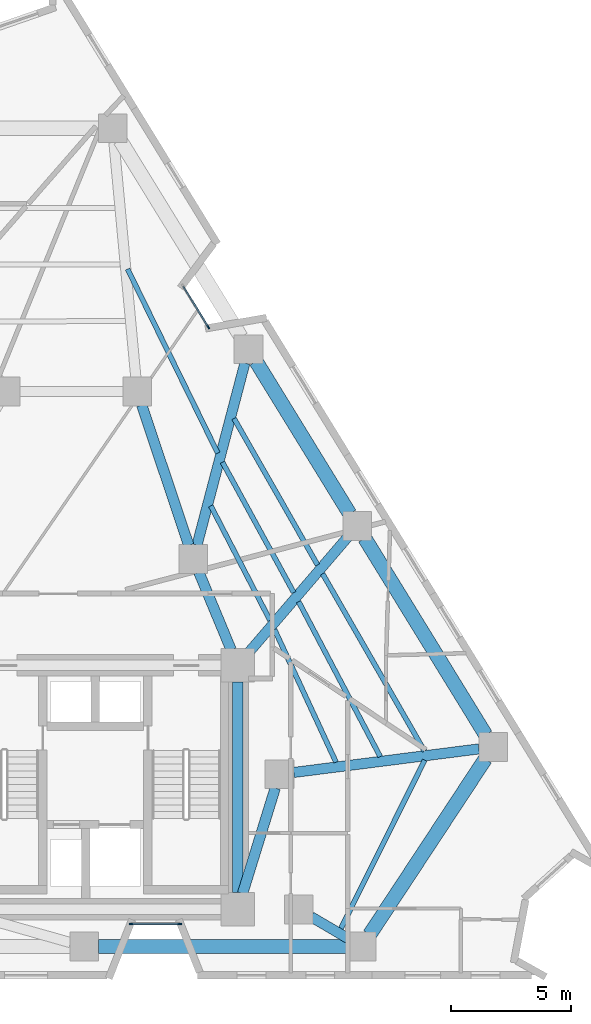
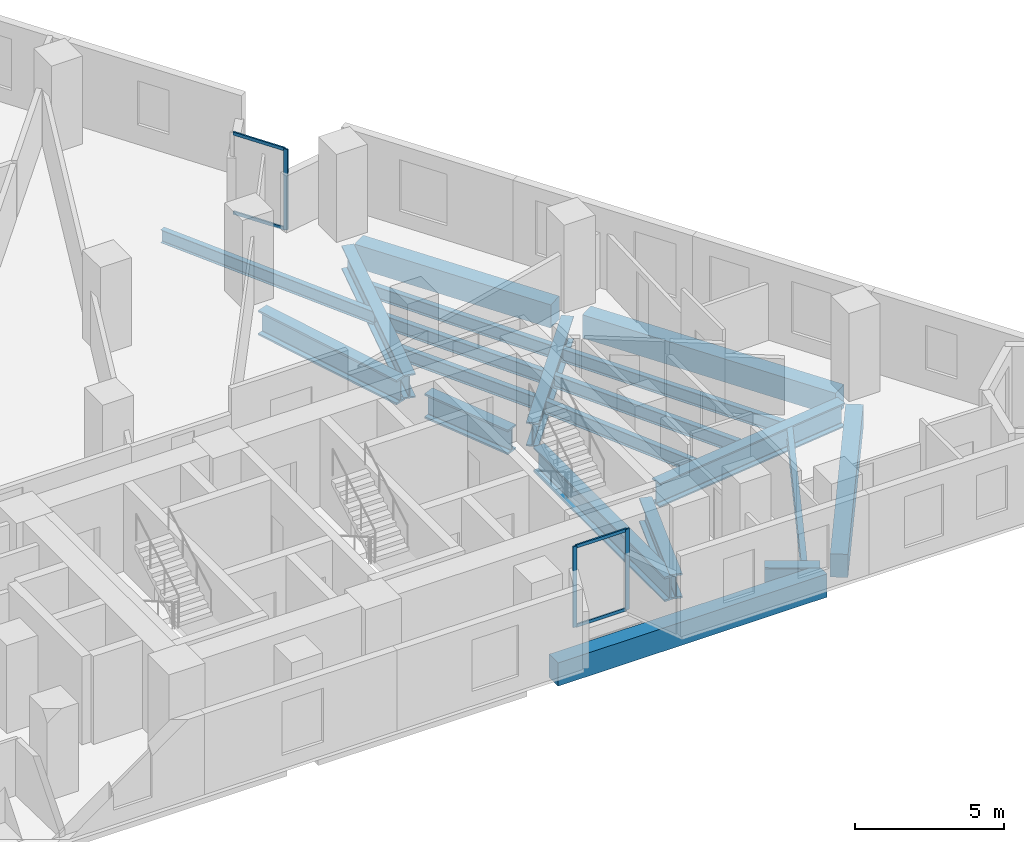
# One storey, part 4 of 13: 20 beams, 7 members, 2 elements without a shape of their own.
"""IFC4 building model written with IfcOpenShell, lengths in metres."""

from ifc_helpers import new_model, si_unit, direction, frame, origin, origin_2d, place, context, subcontext, project, spatial, rectangle, i_section, extrude, material, layer, layer_set, material_profile, profile_set, type_object, element, aggregate, save


model = new_model("IFC4")

# Units and contexts
model_context = context("Model", 3, precision=1e-05, world=origin(), true_north=direction((0.0, 1.0)))
body_context = subcontext(model_context, "Body", "Model", "MODEL_VIEW")
ifc_project = project(units=[si_unit("LENGTHUNIT", "METRE"), si_unit("AREAUNIT", "SQUARE_METRE"), si_unit("VOLUMEUNIT", "CUBIC_METRE"), si_unit("PLANEANGLEUNIT", "RADIAN"), si_unit("MASSUNIT", "GRAM", prefix="KILO")], contexts=[model_context])

# Site, building, storey
site_placement = place(None, origin())
site = spatial("IfcSite", under=ifc_project, at=site_placement, CompositionType="ELEMENT")
building_placement = place(site_placement, origin())
building = spatial("IfcBuilding", under=site, at=building_placement, Name="Almagre Mirador Tower", CompositionType="ELEMENT")
storey_placement = place(building_placement, frame((0.0, 0.0, 96.60009765625)))
storey = spatial("IfcBuildingStorey", under=building, at=storey_placement, Name="L24", CompositionType="ELEMENT", Elevation=96.60009765625)

# Beams
ifc_material_1 = material(Name="Steel ASTM A992 Grade 50", Category="steel")
ifc_material_profile_1 = material_profile(ifc_material_1, i_section(OverallWidth=0.208984375, OverallDepth=0.532958984375, WebThickness=0.01025390625, FlangeThickness=0.015625, FilletRadius=0.01806640625, at=origin_2d()), Name="W21X62")
ifc_profile_set_1 = profile_set([ifc_material_profile_1], Name="Steel ASTM A992 Grade 50")
beam_type_1 = type_object("IfcBeamType", Name="BM-JST-W21X62", PredefinedType="JOIST", material=ifc_profile_set_1)
beam_1_placement = place(storey_placement, frame((51.36865234375, 3.75927734375, -0.5166015625), z_axis=(0.445858512844, 0.89510345018, 0.0), x_axis=(-0.89510345018, 0.445858512844, 0.0)))
element("IfcBeam", 1, at=beam_1_placement, inside=storey, type_object=beam_type_1, Name="L24 secondary floor joist PC04-PC05.1", PredefinedType="JOIST", context=body_context, shape_type="SweptSolid", body=[
    extrude(i_section(OverallWidth=0.208984375, OverallDepth=0.532958984375, WebThickness=0.01025390625, FlangeThickness=0.015625, FilletRadius=0.01806640625, at=origin_2d()), origin(), (0.0, 0.0, 1.0), 7.858154296875),
])
beam_2_placement = place(storey_placement, frame((54.861083984375, 11.170166015625, -0.5166015625), z_axis=(-0.498260180267, 0.867027561707, 0.0), x_axis=(-0.867027561707, -0.498260180267, 0.0)))
element("IfcBeam", 2, at=beam_2_placement, inside=storey, type_object=beam_type_1, Name="L24 secondary floor joist PC05-PC06.1", PredefinedType="JOIST", context=body_context, shape_type="SweptSolid", body=[
    extrude(i_section(OverallWidth=0.208984375, OverallDepth=0.532958984375, WebThickness=0.01025390625, FlangeThickness=0.015625, FilletRadius=0.01806640625, at=origin_2d()), origin(), (0.0, 0.0, 1.0), 8.54638671875),
])
beam_3_placement = place(storey_placement, frame((53.010498046875, 10.937744140625, -0.5166015625), z_axis=(-0.466003449067, 0.884782903009, 0.0), x_axis=(-0.884782903009, -0.466003449067, 0.0)))
element("IfcBeam", 3, at=beam_3_placement, inside=storey, type_object=beam_type_1, Name="L24 secondary floor joist PC05-PC06.2", PredefinedType="JOIST", context=body_context, shape_type="SweptSolid", body=[
    extrude(i_section(OverallWidth=0.208984375, OverallDepth=0.532958984375, WebThickness=0.01025390625, FlangeThickness=0.015625, FilletRadius=0.01806640625, at=origin_2d()), origin(), (0.0, 0.0, 1.0), 7.320556640625),
])
beam_4_placement = place(storey_placement, frame((51.16259765625, 10.7060546875, -0.5166015625), z_axis=(-0.420643946583, 0.90722580993, 0.0), x_axis=(-0.90722580993, -0.420643946583, 0.0)))
element("IfcBeam", 4, at=beam_4_placement, inside=storey, type_object=beam_type_1, Name="L24 secondary floor joist PC05-PC06.3", PredefinedType="JOIST", context=body_context, shape_type="SweptSolid", body=[
    extrude(i_section(OverallWidth=0.208984375, OverallDepth=0.532958984375, WebThickness=0.01025390625, FlangeThickness=0.015625, FilletRadius=0.01806640625, at=origin_2d()), origin(), (0.0, 0.0, 1.0), 6.109375),
])
beam_5_placement = place(storey_placement, frame((50.39013671875, 18.951416015625, -0.5166015625), z_axis=(-0.495455919477, 0.868633082409, 0.0), x_axis=(-0.868633082409, -0.495455919477, 0.0)))
element("IfcBeam", 5, at=beam_5_placement, inside=storey, type_object=beam_type_1, Name="L24 secondary floor joist PC06-PC07.1", PredefinedType="JOIST", context=body_context, shape_type="SweptSolid", body=[
    extrude(i_section(OverallWidth=0.208984375, OverallDepth=0.532958984375, WebThickness=0.01025390625, FlangeThickness=0.015625, FilletRadius=0.01806640625, at=origin_2d()), origin(), (0.0, 0.0, 1.0), 7.0458984375),
])
beam_6_placement = place(storey_placement, frame((49.396728515625, 17.7919921875, -0.5166015625), z_axis=(-0.479727277222, 0.877417653965, 0.0), x_axis=(-0.877417653965, -0.479727277222, 0.0)))
element("IfcBeam", 6, at=beam_6_placement, inside=storey, type_object=beam_type_1, Name="L24 secondary floor joist PC06-PC07.2", PredefinedType="JOIST", context=body_context, shape_type="SweptSolid", body=[
    extrude(i_section(OverallWidth=0.208984375, OverallDepth=0.532958984375, WebThickness=0.01025390625, FlangeThickness=0.015625, FilletRadius=0.01806640625, at=origin_2d()), origin(), (0.0, 0.0, 1.0), 6.2138671875),
])
beam_7_placement = place(storey_placement, frame((48.404296875, 16.6328125, -0.5166015625), z_axis=(-0.459287235834, 0.888287810904, 0.0), x_axis=(-0.888287810904, -0.459287235834, 0.0)))
element("IfcBeam", 7, at=beam_7_placement, inside=storey, type_object=beam_type_1, Name="L24 secondary floor joist PC06-PC07.3", PredefinedType="JOIST", context=body_context, shape_type="SweptSolid", body=[
    extrude(i_section(OverallWidth=0.208984375, OverallDepth=0.532958984375, WebThickness=0.01025390625, FlangeThickness=0.015625, FilletRadius=0.01806640625, at=origin_2d()), origin(), (0.0, 0.0, 1.0), 5.384765625),
])
beam_8_placement = place(storey_placement, frame((46.21875, 23.6240234375, -0.5166015625), z_axis=(-0.439958933101, 0.898017893577, 0.0), x_axis=(-0.898017893577, -0.439958933101, 0.0)))
element("IfcBeam", 8, at=beam_8_placement, inside=storey, type_object=beam_type_1, Name="L24 secondary floor joist PC07-PC08.2", PredefinedType="JOIST", context=body_context, shape_type="SweptSolid", body=[
    extrude(i_section(OverallWidth=0.208984375, OverallDepth=0.532958984375, WebThickness=0.01025390625, FlangeThickness=0.015625, FilletRadius=0.01806640625, at=origin_2d()), origin(), (0.0, 0.0, 1.0), 8.565185546875),
])
ifc_material_2 = material(Name="Precast concrete C50/60", Category="concrete")
ifc_material_profile_2 = material_profile(ifc_material_2, rectangle(XDim=0.60009765625, YDim=0.949951171875, at=origin_2d()), Name="RC600X950")
ifc_profile_set_2 = profile_set([ifc_material_profile_2], Name="Precast concrete C50/60")
beam_type_2 = type_object("IfcBeamType", Name="BM-SPN-RC600X950", PredefinedType="SPANDREL", material=ifc_profile_set_2)
beam_9_placement = place(storey_placement, frame((41.239990234375, 3.0, -0.72509765625), z_axis=(1.0, 0.0, 0.0), x_axis=(0.0, 1.0, 0.0)))
element("IfcBeam", 9, at=beam_9_placement, inside=storey, type_object=beam_type_2, Name="L24 perimeter spandrel beam PC03-PC04", PredefinedType="SPANDREL", context=body_context, shape_type="SweptSolid", body=[
    extrude(rectangle(XDim=0.60009765625, YDim=0.949951171875, at=origin_2d()), origin(), (0.0, 0.0, 1.0), 10.39990234375),
])
beam_10_placement = place(storey_placement, frame((52.570068359375, 3.501220703125, -0.72509765625), z_axis=(0.550014218611, 0.835155290545, 0.0), x_axis=(-0.835155290545, 0.550014218611, 0.0)))
element("IfcBeam", 10, at=beam_10_placement, inside=storey, type_object=beam_type_2, Name="L24 perimeter spandrel beam PC04-PC05", PredefinedType="SPANDREL", context=body_context, shape_type="SweptSolid", body=[
    extrude(rectangle(XDim=0.60009765625, YDim=0.949951171875, at=origin_2d()), origin(), (0.0, 0.0, 1.0), 8.78125),
])
beam_11_placement = place(storey_placement, frame((57.415771484375, 11.84716796875, -0.72509765625), z_axis=(-0.523677963784, 0.85191630472, 0.0), x_axis=(-0.85191630472, -0.523677963784, 0.0)))
element("IfcBeam", 11, at=beam_11_placement, inside=storey, type_object=beam_type_2, Name="L24 perimeter spandrel beam PC05-PC06", PredefinedType="SPANDREL", context=body_context, shape_type="SweptSolid", body=[
    extrude(rectangle(XDim=0.60009765625, YDim=0.949951171875, at=origin_2d()), origin(), (0.0, 0.0, 1.0), 9.646240234375),
])
beam_12_placement = place(storey_placement, frame((51.73583984375, 21.087158203125, -0.72509765625), z_axis=(-0.523685630809, 0.851911591707, 0.0), x_axis=(-0.851911591707, -0.523685630809, 0.0)))
element("IfcBeam", 12, at=beam_12_placement, inside=storey, type_object=beam_type_2, Name="L24 perimeter spandrel beam PC06-PC07", PredefinedType="SPANDREL", context=body_context, shape_type="SweptSolid", body=[
    extrude(rectangle(XDim=0.60009765625, YDim=0.949951171875, at=origin_2d()), origin(), (0.0, 0.0, 1.0), 7.476806640625),
])
ifc_material_3 = material(Name="Steel ASTM A992 Grade 50", Category="steel")
ifc_material_profile_3 = material_profile(ifc_material_3, i_section(OverallWidth=0.427978515625, OverallDepth=0.97509765625, WebThickness=0.031005859375, FlangeThickness=0.055908203125, FilletRadius=0.028076171875, at=origin_2d()), Name="W36X395")
ifc_profile_set_3 = profile_set([ifc_material_profile_3], Name="Steel ASTM A992 Grade 50")
beam_type_3 = type_object("IfcBeamType", Name="BM-STL-W36X395", PredefinedType="BEAM", material=ifc_profile_set_3)
beam_13_placement = place(storey_placement, frame((51.72265625, 3.3037109375, -0.737548828125), z_axis=(-0.862372214541, 0.50627479059, 0.0), x_axis=(-0.50627479059, -0.862372214541, 0.0)))
element("IfcBeam", 13, at=beam_13_placement, inside=storey, type_object=beam_type_3, Name="L24 radial floor girder PC04-MC2", PredefinedType="BEAM", context=body_context, shape_type="SweptSolid", body=[
    extrude(i_section(OverallWidth=0.427978515625, OverallDepth=0.97509765625, WebThickness=0.031005859375, FlangeThickness=0.055908203125, FilletRadius=0.028076171875, at=origin_2d()), origin(), (0.0, 0.0, 1.0), 1.861328125),
])
beam_14_placement = place(storey_placement, frame((57.134765625, 11.26025390625, -0.737548828125), z_axis=(-0.992004466141, -0.126202770006, 0.0), x_axis=(0.126202770006, -0.992004466141, 0.0)))
element("IfcBeam", 14, at=beam_14_placement, inside=storey, type_object=beam_type_3, Name="L24 radial floor girder PC05-MC3", PredefinedType="BEAM", context=body_context, shape_type="SweptSolid", body=[
    extrude(i_section(OverallWidth=0.427978515625, OverallDepth=0.97509765625, WebThickness=0.031005859375, FlangeThickness=0.055908203125, FilletRadius=0.028076171875, at=origin_2d()), origin(), (0.0, 0.0, 1.0), 7.802001953125),
])
beam_15_placement = place(storey_placement, frame((51.6591796875, 20.12060546875, -0.737548828125), z_axis=(-0.651270456957, -0.758845697026, 0.0), x_axis=(0.758845697026, -0.651270456957, 0.0)))
element("IfcBeam", 15, at=beam_15_placement, inside=storey, type_object=beam_type_3, Name="L24 radial floor girder PC06-CC6", PredefinedType="BEAM", context=body_context, shape_type="SweptSolid", body=[
    extrude(i_section(OverallWidth=0.427978515625, OverallDepth=0.97509765625, WebThickness=0.031005859375, FlangeThickness=0.055908203125, FilletRadius=0.028076171875, at=origin_2d()), origin(), (0.0, 0.0, 1.0), 6.377197265625),
])
beam_16_placement = place(storey_placement, frame((47.353515625, 27.3876953125, -0.737548828125), z_axis=(-0.25437719106, -0.967105084605, 0.0), x_axis=(0.967105084605, -0.25437719106, 0.0)))
element("IfcBeam", 16, at=beam_16_placement, inside=storey, type_object=beam_type_3, Name="L24 radial floor girder PC07-MC5", PredefinedType="BEAM", context=body_context, shape_type="SweptSolid", body=[
    extrude(i_section(OverallWidth=0.427978515625, OverallDepth=0.97509765625, WebThickness=0.031005859375, FlangeThickness=0.055908203125, FilletRadius=0.028076171875, at=origin_2d()), origin(), (0.0, 0.0, 1.0), 7.8662109375),
])
ifc_material_4 = material(Name="Steel ASTM A992 Grade 50", Category="steel")
ifc_material_profile_4 = material_profile(ifc_material_4, i_section(OverallWidth=0.43701171875, OverallDepth=1.010986328125, WebThickness=0.041015625, FlangeThickness=0.073974609375, FilletRadius=0.028076171875, at=origin_2d()), Name="W36X529")
ifc_profile_set_4 = profile_set([ifc_material_profile_4], Name="Steel ASTM A992 Grade 50")
beam_type_4 = type_object("IfcBeamType", Name="BM-STL-W36X529", PredefinedType="BEAM", material=ifc_profile_set_4)
beam_17_placement = place(storey_placement, frame((47.050048828125, 5.25, -0.755615234375), z_axis=(0.0, 1.0, 0.0), x_axis=(-1.0, 0.0, 0.0)))
element("IfcBeam", 17, at=beam_17_placement, inside=storey, type_object=beam_type_4, Name="L24 core tie girder CC3-CC6", PredefinedType="BEAM", context=body_context, shape_type="SweptSolid", body=[
    extrude(i_section(OverallWidth=0.43701171875, OverallDepth=1.010986328125, WebThickness=0.041015625, FlangeThickness=0.073974609375, FilletRadius=0.028076171875, at=origin_2d()), origin(), (0.0, 0.0, 1.0), 8.800048828125),
])
beam_18_placement = place(storey_placement, frame((48.62255859375, 9.626953125, -0.755615234375), z_axis=(-0.295888328273, -0.955222538046, 0.0), x_axis=(0.955222538046, -0.295888328273, 0.0)))
element("IfcBeam", 18, at=beam_18_placement, inside=storey, type_object=beam_type_4, Name="L24 core tie girder MC3-CC3", PredefinedType="BEAM", context=body_context, shape_type="SweptSolid", body=[
    extrude(i_section(OverallWidth=0.43701171875, OverallDepth=1.010986328125, WebThickness=0.041015625, FlangeThickness=0.073974609375, FilletRadius=0.028076171875, at=origin_2d()), origin(), (0.0, 0.0, 1.0), 4.61474609375),
])
beam_19_placement = place(storey_placement, frame((45.430419921875, 18.64599609375, -0.755615234375), z_axis=(0.383856635851, -0.923392702545, 0.0), x_axis=(0.923392702545, 0.383856635851, 0.0)))
element("IfcBeam", 19, at=beam_19_placement, inside=storey, type_object=beam_type_4, Name="L24 core tie girder MC5-CC6", PredefinedType="BEAM", context=body_context, shape_type="SweptSolid", body=[
    extrude(i_section(OverallWidth=0.43701171875, OverallDepth=1.010986328125, WebThickness=0.041015625, FlangeThickness=0.073974609375, FilletRadius=0.028076171875, at=origin_2d()), origin(), (0.0, 0.0, 1.0), 3.51904296875),
])
beam_20_placement = place(storey_placement, frame((43.041015625, 25.631103515625, -0.755615234375), z_axis=(0.318252395552, -0.948006019351, 0.0), x_axis=(0.948006019351, 0.318252395552, 0.0)))
element("IfcBeam", 20, at=beam_20_placement, inside=storey, type_object=beam_type_4, Name="L24 core tie girder MC6-MC5", PredefinedType="BEAM", context=body_context, shape_type="SweptSolid", body=[
    extrude(i_section(OverallWidth=0.43701171875, OverallDepth=1.010986328125, WebThickness=0.041015625, FlangeThickness=0.073974609375, FilletRadius=0.028076171875, at=origin_2d()), origin(), (0.0, 0.0, 1.0), 6.183837890625),
])

# Curtain wall, member
ifc_material_5 = material(Name="Black anodized aluminium", Category="aluminium")
ifc_layer = layer(ifc_material_5, 0.169921875)
ifc_layer_set = layer_set([ifc_layer], Name="Black anodized aluminium")
curtain_wall_type = type_object("IfcCurtainWallType", Name="CW-CRS-SYS", PredefinedType="NOTDEFINED", material=ifc_layer_set)
curtain_wall_1_placement = place(storey_placement, origin())
curtain_wall_1 = element("IfcCurtainWall", 21, at=curtain_wall_1_placement, inside=storey, type_object=curtain_wall_type, Name="L24 vertical crease curtain wall 03", PredefinedType="NOTDEFINED")
ifc_material_6 = material(Name="Black anodized aluminium", Category="aluminium")
ifc_material_profile_5 = material_profile(ifc_material_6, rectangle(XDim=0.06005859375, YDim=0.14990234375, at=origin_2d()), Name="CWM60X150")
ifc_profile_set_5 = profile_set([ifc_material_profile_5], Name="Black anodized aluminium")
member_type_1 = type_object("IfcMemberType", Name="MBR-CWM60X150", PredefinedType="MULLION", material=ifc_profile_set_5)
member_1_placement = place(storey_placement, frame((45.827392578125, 28.883544921875, 0.0), z_axis=(0.0, 0.0, 1.0), x_axis=(0.852085130871, 0.523403219085, 0.0)))
member_1 = element("IfcMember", 22, at=member_1_placement, type_object=member_type_1, Name="CW-4 mullion 2", PredefinedType="MULLION", context=body_context, shape_type="SweptSolid", body=[
    extrude(rectangle(XDim=0.06005859375, YDim=0.14990234375, at=origin_2d()), origin(), (0.0, 0.0, 1.0), 3.2998046875),
])

# Curtain wall, members
curtain_wall_2_placement = place(storey_placement, origin())
curtain_wall_2 = element("IfcCurtainWall", 23, at=curtain_wall_2_placement, inside=storey, type_object=curtain_wall_type, Name="L24 vertical crease curtain wall 04", PredefinedType="NOTDEFINED")
member_2_placement = place(storey_placement, frame((44.631103515625, 3.949951171875, 0.0), z_axis=(0.0, 0.0, 1.0), x_axis=(0.0, -1.0, 0.0)))
member_2 = element("IfcMember", 24, at=member_2_placement, type_object=member_type_1, Name="CW-4 mullion 1", PredefinedType="MULLION", context=body_context, shape_type="SweptSolid", body=[
    extrude(rectangle(XDim=0.06005859375, YDim=0.14990234375, at=origin_2d()), origin(), (0.0, 0.0, 1.0), 3.2998046875),
])
member_3_placement = place(storey_placement, frame((42.60107421875, 3.949951171875, 0.0), z_axis=(0.0, 0.0, 1.0), x_axis=(0.0, -1.0, 0.0)))
member_3 = element("IfcMember", 25, at=member_3_placement, type_object=member_type_1, Name="CW-4 mullion 2", PredefinedType="MULLION", context=body_context, shape_type="SweptSolid", body=[
    extrude(rectangle(XDim=0.06005859375, YDim=0.14990234375, at=origin_2d()), origin(), (0.0, 0.0, 1.0), 3.2998046875),
])

# Member
ifc_material_7 = material(Name="Black anodized aluminium", Category="aluminium")
ifc_material_profile_6 = material_profile(ifc_material_7, rectangle(XDim=0.06005859375, YDim=0.1298828125, at=origin_2d()), Name="CWT60X130")
ifc_profile_set_6 = profile_set([ifc_material_profile_6], Name="Black anodized aluminium")
member_type_2 = type_object("IfcMemberType", Name="MBR-CWT60X130", PredefinedType="USERDEFINED", material=ifc_profile_set_6)
member_4_placement = place(storey_placement, frame((44.780517578125, 30.587890625, 0.02978515625), z_axis=(0.523343553055, -0.852121778548, 0.0), x_axis=(0.852121778548, 0.523343553055, 0.0)))
member_4 = element("IfcMember", 26, at=member_4_placement, type_object=member_type_2, Name="CW-4 transom 1.1", ObjectType="TRANSOM", PredefinedType="USERDEFINED", context=body_context, shape_type="SweptSolid", body=[
    extrude(rectangle(XDim=0.06005859375, YDim=0.1298828125, at=origin_2d()), origin(), (0.0, 0.0, 1.0), 1.969970703125),
])

member_5_placement = place(storey_placement, frame((44.780517578125, 30.587890625, 3.27001953125), z_axis=(0.523343553055, -0.852121778548, 0.0), x_axis=(0.852121778548, 0.523343553055, 0.0)))
member_5 = element("IfcMember", 27, at=member_5_placement, type_object=member_type_2, Name="CW-4 transom 1.2", ObjectType="TRANSOM", PredefinedType="USERDEFINED", context=body_context, shape_type="SweptSolid", body=[
    extrude(rectangle(XDim=0.06005859375, YDim=0.1298828125, at=origin_2d()), origin(), (0.0, 0.0, 1.0), 1.969970703125),
])

aggregate(curtain_wall_1, [member_1, member_4, member_5])

member_6_placement = place(storey_placement, frame((44.60107421875, 3.949951171875, 0.02978515625), z_axis=(-1.0, 0.0, 0.0), x_axis=(0.0, -1.0, 0.0)))
member_6 = element("IfcMember", 28, at=member_6_placement, type_object=member_type_2, Name="CW-4 transom 1.1", ObjectType="TRANSOM", PredefinedType="USERDEFINED", context=body_context, shape_type="SweptSolid", body=[
    extrude(rectangle(XDim=0.06005859375, YDim=0.1298828125, at=origin_2d()), origin(), (0.0, 0.0, 1.0), 1.969970703125),
])

member_7_placement = place(storey_placement, frame((44.60107421875, 3.949951171875, 3.27001953125), z_axis=(-1.0, 0.0, 0.0), x_axis=(0.0, -1.0, 0.0)))
member_7 = element("IfcMember", 29, at=member_7_placement, type_object=member_type_2, Name="CW-4 transom 1.2", ObjectType="TRANSOM", PredefinedType="USERDEFINED", context=body_context, shape_type="SweptSolid", body=[
    extrude(rectangle(XDim=0.06005859375, YDim=0.1298828125, at=origin_2d()), origin(), (0.0, 0.0, 1.0), 1.969970703125),
])

aggregate(curtain_wall_2, [member_2, member_3, member_6, member_7])

save(model, "model.ifc")
